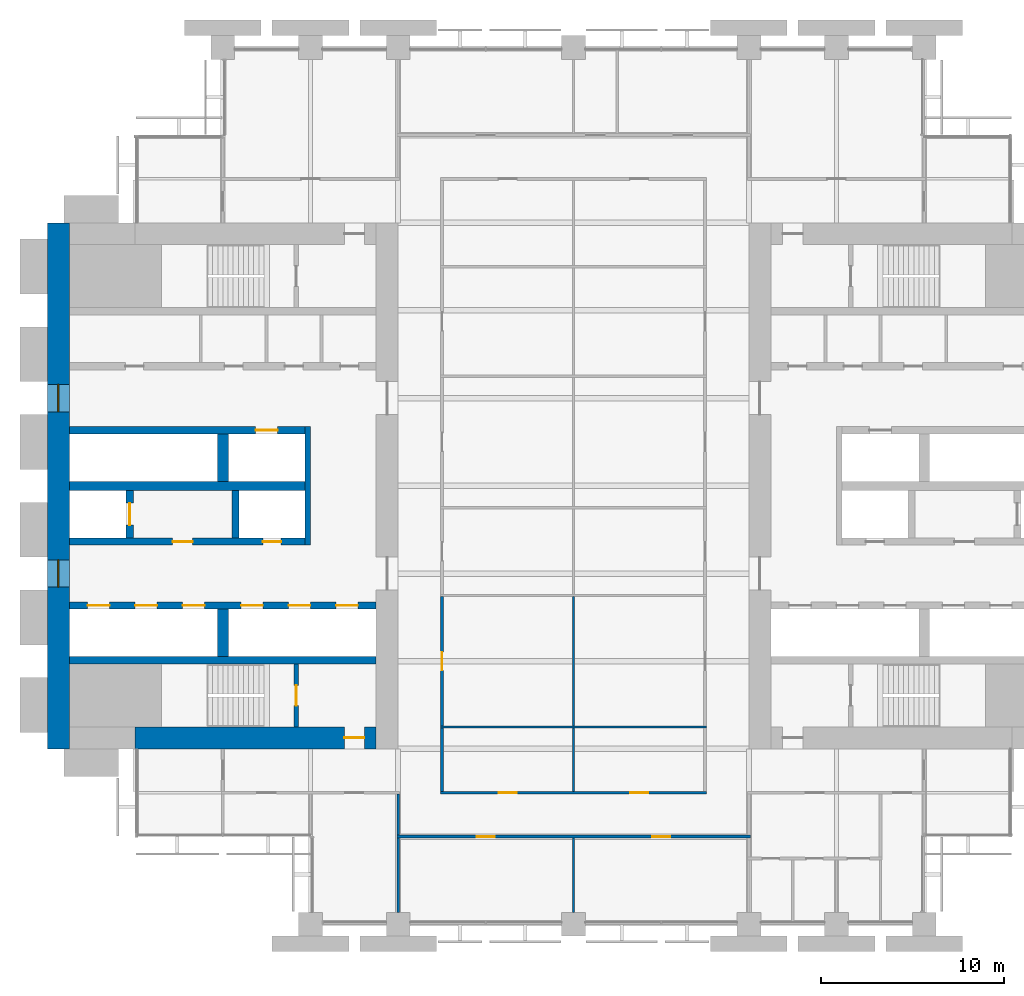
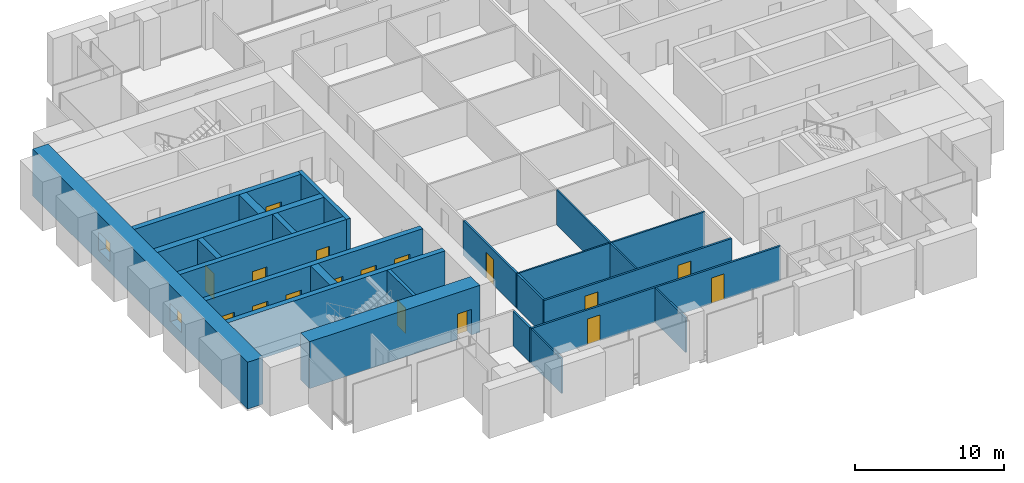
# One storey, part 9 of 14: 23 walls, 17 doors, 2 windows, 19 openings.
"""IFC4 building model written with IfcOpenShell, lengths in metres."""

from ifc_helpers import new_model, si_unit, direction, frame, frame_2d, origin, place, context, subcontext, project, spatial, rectangle, extrude, material, layer, layer_set, type_object, element, fill, save


model = new_model("IFC4")

# Units and contexts
model_context = context("Model", 3, precision=1e-05, world=origin(), true_north=direction((0.0, 1.0)))
body_context = subcontext(model_context, "Body", "Model", "MODEL_VIEW")
ifc_project = project(units=[si_unit("LENGTHUNIT", "METRE"), si_unit("AREAUNIT", "SQUARE_METRE"), si_unit("VOLUMEUNIT", "CUBIC_METRE"), si_unit("PLANEANGLEUNIT", "RADIAN"), si_unit("MASSUNIT", "GRAM", prefix="KILO")], contexts=[model_context])

# Site, building, storey
site_placement = place(None, origin())
site = spatial("IfcSite", under=ifc_project, at=site_placement, CompositionType="ELEMENT")
building_placement = place(site_placement, origin())
building = spatial("IfcBuilding", under=site, at=building_placement, Name="Baori Bourse Tower", CompositionType="ELEMENT")
storey_placement = place(building_placement, frame((0.0, 0.0, 55.0)))
storey = spatial("IfcBuildingStorey", under=building, at=storey_placement, Name="L11", CompositionType="ELEMENT", Elevation=55.0)

# Wall, openings, windows
ifc_material_1 = material(Name="Concrete f'c 70 MPa", Category="concrete")
ifc_layer_1 = layer(ifc_material_1, 1.199951171875)
ifc_layer_set_1 = layer_set([ifc_layer_1], Name="Core wall 1200 f'c 70")
wall_type_1 = type_object("IfcWallType", Name="Core wall 1200 f'c 70", PredefinedType="SHEAR", material=ifc_layer_set_1)
wall_1_placement = place(storey_placement, frame((0.60009765625, 9.60009765625, 0.0), z_axis=(0.0, 0.0, 1.0), x_axis=(0.0, 1.0, 0.0)))
wall_1 = element("IfcWall", 1, at=wall_1_placement, inside=storey, type_object=wall_type_1, Name="Core wall W01", PredefinedType="SHEAR", context=body_context, shape_type="SweptSolid", body=[
    extrude(rectangle(XDim=28.7998046875, YDim=1.199951171875, at=frame_2d((14.39990234375, 0.0))), origin(), (0.0, 0.0, 1.0), 3.840087890625),
])
opening_1_placement = place(wall_1_placement, frame((8.85009765625, 0.0, 0.89990234375)))
opening_1 = element("IfcOpeningElement", 2, at=opening_1_placement, cuts=wall_1, Name="Opening L11-KW101", PredefinedType="OPENING", context=body_context, shape_type="SweptSolid", body=[
    extrude(rectangle(XDim=1.5, YDim=1.5, at=frame_2d((0.75, 0.75))), frame((0.0, 0.60986328125, 0.0), z_axis=(0.0, -1.0, 0.0), x_axis=(1.0, 0.0, 0.0)), (0.0, 0.0, 1.0), 1.219970703125),
])
opening_2_placement = place(wall_1_placement, frame((18.449951171875, 0.0, 0.89990234375)))
opening_2 = element("IfcOpeningElement", 3, at=opening_2_placement, cuts=wall_1, Name="Opening L11-KW102", PredefinedType="OPENING", context=body_context, shape_type="SweptSolid", body=[
    extrude(rectangle(XDim=1.5, YDim=1.5, at=frame_2d((0.75, 0.75))), frame((0.0, 0.60986328125, 0.0), z_axis=(0.0, -1.0, 0.0), x_axis=(1.0, 0.0, 0.0)), (0.0, 0.0, 1.0), 1.219970703125),
])
ifc_material_2 = material(Name="Pale anodised aluminium", Category="aluminium")
window_type = type_object("IfcWindowType", Name="Lobby window 1500 x 1500", PartitioningType="SINGLE_PANEL", PredefinedType="WINDOW", material=ifc_material_2)
window_1_placement = place(opening_1_placement, origin())
window_1 = element("IfcWindow", 4, at=window_1_placement, inside=storey, type_object=window_type, Name="Outer wall window W L11 1", OverallHeight=1.5, OverallWidth=1.5, PartitioningType="SINGLE_PANEL", PredefinedType="WINDOW", context=body_context, shape_type="SweptSolid", body=[
    extrude(rectangle(XDim=1.5, YDim=1.5, at=frame_2d((0.75, 0.75))), frame((0.0, 0.030029296875, 0.0), z_axis=(0.0, -1.0, 0.0), x_axis=(1.0, 0.0, 0.0)), (0.0, 0.0, 1.0), 0.06005859375),
])
fill(opening_1, window_1)
window_2_placement = place(opening_2_placement, origin())
window_2 = element("IfcWindow", 5, at=window_2_placement, inside=storey, type_object=window_type, Name="Outer wall window W L11 2", OverallHeight=1.5, OverallWidth=1.5, PartitioningType="SINGLE_PANEL", PredefinedType="WINDOW", context=body_context, shape_type="SweptSolid", body=[
    extrude(rectangle(XDim=1.5, YDim=1.5, at=frame_2d((0.75, 0.75))), frame((0.0, 0.030029296875, 0.0), z_axis=(0.0, -1.0, 0.0), x_axis=(1.0, 0.0, 0.0)), (0.0, 0.0, 1.0), 0.06005859375),
])
fill(opening_2, window_2)

# Wall, opening, door
wall_2_placement = place(storey_placement, frame((18.0, 10.199951171875, 0.0), z_axis=(0.0, 0.0, 1.0), x_axis=(-1.0, 0.0, 0.0)))
wall_2 = element("IfcWall", 6, at=wall_2_placement, inside=storey, type_object=wall_type_1, Name="Core wall W03", PredefinedType="SHEAR", context=body_context, shape_type="SweptSolid", body=[
    extrude(rectangle(XDim=13.199951171875, YDim=1.199951171875, at=frame_2d((6.60009765625, 0.0))), origin(), (0.0, 0.0, 1.0), 3.840087890625),
])
opening_3_placement = place(wall_2_placement, frame((0.64990234375, 0.0, 0.0)))
opening_3 = element("IfcOpeningElement", 7, at=opening_3_placement, cuts=wall_2, Name="Opening L11-D102", PredefinedType="OPENING", context=body_context, shape_type="SweptSolid", body=[
    extrude(rectangle(XDim=1.10009765625, YDim=2.10009765625, at=frame_2d((0.550048828125, 1.050048828125))), frame((0.0, 0.60986328125, 0.0), z_axis=(0.0, -1.0, 0.0), x_axis=(1.0, 0.0, 0.0)), (0.0, 0.0, 1.0), 1.219970703125),
])
ifc_material_3 = material(Name="Painted steel door", Category="steel")
door_type_1 = type_object("IfcDoorType", Name="Stair door 1100", OperationType="SINGLE_SWING_LEFT", PredefinedType="DOOR", material=ifc_material_3)
door_1_placement = place(opening_3_placement, origin())
door_1 = element("IfcDoor", 8, at=door_1_placement, inside=storey, type_object=door_type_1, Name="Stair vestibule door A W L11", OperationType="SINGLE_SWING_LEFT", OverallHeight=2.10009765625, OverallWidth=1.10009765625, PredefinedType="DOOR", context=body_context, shape_type="SweptSolid", body=[
    extrude(rectangle(XDim=1.10009765625, YDim=2.10009765625, at=frame_2d((0.550048828125, 1.050048828125))), frame((0.0, 0.02490234375, 0.0), z_axis=(0.0, -1.0, 0.0), x_axis=(1.0, 0.0, 0.0)), (0.0, 0.0, 1.0), 0.050048828125),
])
fill(opening_3, door_1)

# Wall, openings, doors
ifc_material_4 = material(Name="Gypsum board partition")
ifc_layer_2 = layer(ifc_material_4, 0.14990234375)
ifc_layer_set_2 = layer_set([ifc_layer_2], Name="Corridor partition 150")
wall_type_2 = type_object("IfcWallType", Name="Corridor partition 150", PredefinedType="PARTITIONING", material=ifc_layer_set_2)
wall_3_placement = place(storey_placement, frame((19.125, 4.800048828125, 0.0), z_axis=(0.0, 0.0, 1.0), x_axis=(1.0, 0.0, 0.0)))
wall_3 = element("IfcWall", 9, at=wall_3_placement, inside=storey, type_object=wall_type_2, Name="Partition", PredefinedType="PARTITIONING", context=body_context, shape_type="SweptSolid", body=[
    extrude(rectangle(XDim=19.35009765625, YDim=0.14990234375, at=frame_2d((9.675048828125, 0.0))), origin(), (0.0, 0.0, 1.0), 2.849365234375),
])
opening_4_placement = place(wall_3_placement, frame((4.375, 0.0, 0.0)))
opening_4 = element("IfcOpeningElement", 10, at=opening_4_placement, cuts=wall_3, Name="Opening L11-D04", PredefinedType="OPENING", context=body_context, shape_type="SweptSolid", body=[
    extrude(rectangle(XDim=1.0, YDim=2.10009765625, at=frame_2d((0.5, 1.050048828125))), frame((0.0, 0.0849609375, 0.0), z_axis=(0.0, -1.0, 0.0), x_axis=(1.0, 0.0, 0.0)), (0.0, 0.0, 1.0), 0.169921875),
])
opening_5_placement = place(wall_3_placement, frame((13.97509765625, 0.0, 0.0)))
opening_5 = element("IfcOpeningElement", 11, at=opening_5_placement, cuts=wall_3, Name="Opening L11-D05", PredefinedType="OPENING", context=body_context, shape_type="SweptSolid", body=[
    extrude(rectangle(XDim=1.0, YDim=2.10009765625, at=frame_2d((0.5, 1.050048828125))), frame((0.0, 0.0849609375, 0.0), z_axis=(0.0, -1.0, 0.0), x_axis=(1.0, 0.0, 0.0)), (0.0, 0.0, 1.0), 0.169921875),
])
ifc_material_5 = material(Name="Timber door leaf", Category="wood")
door_type_2 = type_object("IfcDoorType", Name="Door 1000 x 2100", OperationType="SINGLE_SWING_LEFT", PredefinedType="DOOR", material=ifc_material_5)
door_2_placement = place(opening_4_placement, origin())
door_2 = element("IfcDoor", 12, at=door_2_placement, inside=storey, type_object=door_type_2, Name="Door", OperationType="SINGLE_SWING_LEFT", OverallHeight=2.10009765625, OverallWidth=1.0, PredefinedType="DOOR", context=body_context, shape_type="SweptSolid", body=[
    extrude(rectangle(XDim=1.0, YDim=2.10009765625, at=frame_2d((0.5, 1.050048828125))), frame((0.0, 0.02490234375, 0.0), z_axis=(0.0, -1.0, 0.0), x_axis=(1.0, 0.0, 0.0)), (0.0, 0.0, 1.0), 0.050048828125),
])
fill(opening_4, door_2)
door_3_placement = place(opening_5_placement, origin())
door_3 = element("IfcDoor", 13, at=door_3_placement, inside=storey, type_object=door_type_2, Name="Door", OperationType="SINGLE_SWING_RIGHT", OverallHeight=2.10009765625, OverallWidth=1.0, PredefinedType="DOOR", context=body_context, shape_type="SweptSolid", body=[
    extrude(rectangle(XDim=1.0, YDim=2.10009765625, at=frame_2d((0.5, 1.050048828125))), frame((0.0, 0.02490234375, 0.0), z_axis=(0.0, -1.0, 0.0), x_axis=(1.0, 0.0, 0.0)), (0.0, 0.0, 1.0), 0.050048828125),
])
fill(opening_5, door_3)

wall_4_placement = place(storey_placement, frame((21.52490234375, 7.199951171875, 0.0), z_axis=(0.0, 0.0, 1.0), x_axis=(1.0, 0.0, 0.0)))
wall_4 = element("IfcWall", 14, at=wall_4_placement, inside=storey, type_object=wall_type_2, Name="Partition", PredefinedType="PARTITIONING", context=body_context, shape_type="SweptSolid", body=[
    extrude(rectangle(XDim=14.550048828125, YDim=0.14990234375, at=frame_2d((7.27490234375, 0.0))), origin(), (0.0, 0.0, 1.0), 2.849365234375),
])
opening_6_placement = place(wall_4_placement, frame((3.175048828125, 0.0, 0.0)))
opening_6 = element("IfcOpeningElement", 15, at=opening_6_placement, cuts=wall_4, Name="Opening L11-D08", PredefinedType="OPENING", context=body_context, shape_type="SweptSolid", body=[
    extrude(rectangle(XDim=1.0, YDim=2.10009765625, at=frame_2d((0.5, 1.050048828125))), frame((0.0, 0.0849609375, 0.0), z_axis=(0.0, -1.0, 0.0), x_axis=(1.0, 0.0, 0.0)), (0.0, 0.0, 1.0), 0.169921875),
])
opening_7_placement = place(wall_4_placement, frame((10.375, 0.0, 0.0)))
opening_7 = element("IfcOpeningElement", 16, at=opening_7_placement, cuts=wall_4, Name="Opening L11-D09", PredefinedType="OPENING", context=body_context, shape_type="SweptSolid", body=[
    extrude(rectangle(XDim=1.0, YDim=2.10009765625, at=frame_2d((0.5, 1.050048828125))), frame((0.0, 0.0849609375, 0.0), z_axis=(0.0, -1.0, 0.0), x_axis=(1.0, 0.0, 0.0)), (0.0, 0.0, 1.0), 0.169921875),
])
door_4_placement = place(opening_6_placement, origin())
door_4 = element("IfcDoor", 17, at=door_4_placement, inside=storey, type_object=door_type_2, Name="Door", OperationType="SINGLE_SWING_RIGHT", OverallHeight=2.10009765625, OverallWidth=1.0, PredefinedType="DOOR", context=body_context, shape_type="SweptSolid", body=[
    extrude(rectangle(XDim=1.0, YDim=2.10009765625, at=frame_2d((0.5, 1.050048828125))), frame((0.0, 0.02490234375, 0.0), z_axis=(0.0, -1.0, 0.0), x_axis=(1.0, 0.0, 0.0)), (0.0, 0.0, 1.0), 0.050048828125),
])
fill(opening_6, door_4)
door_5_placement = place(opening_7_placement, origin())
door_5 = element("IfcDoor", 18, at=door_5_placement, inside=storey, type_object=door_type_2, Name="Door", OperationType="SINGLE_SWING_LEFT", OverallHeight=2.10009765625, OverallWidth=1.0, PredefinedType="DOOR", context=body_context, shape_type="SweptSolid", body=[
    extrude(rectangle(XDim=1.0, YDim=2.10009765625, at=frame_2d((0.5, 1.050048828125))), frame((0.0, 0.02490234375, 0.0), z_axis=(0.0, -1.0, 0.0), x_axis=(1.0, 0.0, 0.0)), (0.0, 0.0, 1.0), 0.050048828125),
])
fill(opening_7, door_5)

# Walls
wall_5_placement = place(storey_placement, frame((19.199951171875, 4.875, 0.0), z_axis=(0.0, 0.0, 1.0), x_axis=(0.0, 1.0, 0.0)))
element("IfcWall", 19, at=wall_5_placement, inside=storey, type_object=wall_type_2, Name="Partition", PredefinedType="PARTITIONING", context=body_context, shape_type="SweptSolid", body=[
    extrude(rectangle(XDim=2.25, YDim=0.14990234375, at=frame_2d((1.125, 0.0))), origin(), (0.0, 0.0, 1.0), 2.849365234375),
])
wall_6_placement = place(storey_placement, frame((21.60009765625, 7.27490234375, 0.0), z_axis=(0.0, 0.0, 1.0), x_axis=(0.0, 1.0, 0.0)))
element("IfcWall", 20, at=wall_6_placement, inside=storey, type_object=wall_type_2, Name="Partition", PredefinedType="PARTITIONING", context=body_context, shape_type="SweptSolid", body=[
    extrude(rectangle(XDim=3.462646484375, YDim=0.14990234375, at=frame_2d((1.7314453125, 0.0))), origin(), (0.0, 0.0, 1.0), 2.849365234375),
])

# Wall, opening, door
wall_7_placement = place(storey_placement, frame((21.60009765625, 10.862548828125, 0.0), z_axis=(0.0, 0.0, 1.0), x_axis=(0.0, 1.0, 0.0)))
wall_7 = element("IfcWall", 21, at=wall_7_placement, inside=storey, type_object=wall_type_2, Name="Partition", PredefinedType="PARTITIONING", context=body_context, shape_type="SweptSolid", body=[
    extrude(rectangle(XDim=7.074951171875, YDim=0.14990234375, at=frame_2d((3.53759765625, 0.0))), origin(), (0.0, 0.0, 1.0), 2.849365234375),
])
opening_8_placement = place(wall_7_placement, frame((3.03759765625, 0.0, 0.0)))
opening_8 = element("IfcOpeningElement", 22, at=opening_8_placement, cuts=wall_7, Name="Opening L11-D21", PredefinedType="OPENING", context=body_context, shape_type="SweptSolid", body=[
    extrude(rectangle(XDim=1.0, YDim=2.10009765625, at=frame_2d((0.5, 1.050048828125))), frame((0.0, 0.0849609375, 0.0), z_axis=(0.0, -1.0, 0.0), x_axis=(1.0, 0.0, 0.0)), (0.0, 0.0, 1.0), 0.169921875),
])
door_6_placement = place(opening_8_placement, origin())
door_6 = element("IfcDoor", 23, at=door_6_placement, inside=storey, type_object=door_type_2, Name="Door", OperationType="SINGLE_SWING_LEFT", OverallHeight=2.10009765625, OverallWidth=1.0, PredefinedType="DOOR", context=body_context, shape_type="SweptSolid", body=[
    extrude(rectangle(XDim=1.0, YDim=2.10009765625, at=frame_2d((0.5, 1.050048828125))), frame((0.0, 0.02490234375, 0.0), z_axis=(0.0, -1.0, 0.0), x_axis=(1.0, 0.0, 0.0)), (0.0, 0.0, 1.0), 0.050048828125),
])
fill(opening_8, door_6)

# Walls
ifc_material_6 = material(Name="Gypsum board partition")
ifc_layer_3 = layer(ifc_material_6, 0.125)
ifc_layer_set_3 = layer_set([ifc_layer_3], Name="Partition 125")
wall_type_3 = type_object("IfcWallType", Name="Partition 125", PredefinedType="PARTITIONING", material=ifc_layer_set_3)
wall_8_placement = place(storey_placement, frame((21.52490234375, 10.800048828125, 0.0), z_axis=(0.0, 0.0, 1.0), x_axis=(1.0, 0.0, 0.0)))
element("IfcWall", 24, at=wall_8_placement, inside=storey, type_object=wall_type_3, Name="Partition", PredefinedType="PARTITIONING", context=body_context, shape_type="SweptSolid", body=[
    extrude(rectangle(XDim=14.550048828125, YDim=0.125, at=frame_2d((7.27490234375, 0.0))), origin(), (0.0, 0.0, 1.0), 2.849365234375),
])
for number, where, z_axis, x_axis, name in (
    (25, (19.199951171875, 0.64990234375, 0.0), (0.0, 0.0, 1.0), (0.0, 1.0, 0.0), "Partition"),
    (26, (28.800048828125, 0.64990234375, 0.0), (0.0, 0.0, 1.0), (0.0, 1.0, 0.0), "Partition"),
):
    element("IfcWall", number, at=place(storey_placement, frame(where, z_axis=z_axis, x_axis=x_axis)), inside=storey, type_object=wall_type_3, Name=name, PredefinedType="PARTITIONING", context=body_context, shape_type="SweptSolid", body=[
        extrude(rectangle(XDim=4.0751953125, YDim=0.125, at=frame_2d((2.03759765625, 0.0))), origin(), (0.0, 0.0, 1.0), 2.849365234375),
    ])
wall_9_placement = place(storey_placement, frame((28.800048828125, 7.27490234375, 0.0), z_axis=(0.0, 0.0, 1.0), x_axis=(0.0, 1.0, 0.0)))
element("IfcWall", 27, at=wall_9_placement, inside=storey, type_object=wall_type_3, Name="Partition", PredefinedType="PARTITIONING", context=body_context, shape_type="SweptSolid", body=[
    extrude(rectangle(XDim=3.462646484375, YDim=0.125, at=frame_2d((1.7314453125, 0.0))), origin(), (0.0, 0.0, 1.0), 2.849365234375),
])
wall_10_placement = place(storey_placement, frame((28.800048828125, 10.862548828125, 0.0), z_axis=(0.0, 0.0, 1.0), x_axis=(0.0, 1.0, 0.0)))
element("IfcWall", 28, at=wall_10_placement, inside=storey, type_object=wall_type_3, Name="Partition", PredefinedType="PARTITIONING", context=body_context, shape_type="SweptSolid", body=[
    extrude(rectangle(XDim=7.074951171875, YDim=0.125, at=frame_2d((3.53759765625, 0.0))), origin(), (0.0, 0.0, 1.0), 2.849365234375),
])

# Wall, opening, door
ifc_material_7 = material(Name="Concrete f'c 70 MPa", Category="concrete")
ifc_layer_4 = layer(ifc_material_7, 0.25)
ifc_layer_set_4 = layer_set([ifc_layer_4], Name="Shaft wall 250 f'c 70")
wall_type_4 = type_object("IfcWallType", Name="Shaft wall 250 f'c 70", PredefinedType="SHEAR", material=ifc_layer_set_4)
wall_11_placement = place(storey_placement, frame((13.625, 10.800048828125, 0.0), z_axis=(0.0, 0.0, 1.0), x_axis=(0.0, 1.0, 0.0)))
wall_11 = element("IfcWall", 29, at=wall_11_placement, inside=storey, type_object=wall_type_4, Name="Core wall W06", PredefinedType="SHEAR", context=body_context, shape_type="SweptSolid", body=[
    extrude(rectangle(XDim=3.449951171875, YDim=0.25, at=frame_2d((1.72509765625, 0.0))), origin(), (0.0, 0.0, 1.0), 3.840087890625),
])
opening_9_placement = place(wall_11_placement, frame((1.175048828125, 0.0, 0.0)))
opening_9 = element("IfcOpeningElement", 30, at=opening_9_placement, cuts=wall_11, Name="Opening L11-D101", PredefinedType="OPENING", context=body_context, shape_type="SweptSolid", body=[
    extrude(rectangle(XDim=1.10009765625, YDim=2.10009765625, at=frame_2d((0.550048828125, 1.050048828125))), frame((0.0, 0.135009765625, 0.0), z_axis=(0.0, -1.0, 0.0), x_axis=(1.0, 0.0, 0.0)), (0.0, 0.0, 1.0), 0.27001953125),
])
door_7_placement = place(opening_9_placement, origin())
door_7 = element("IfcDoor", 31, at=door_7_placement, inside=storey, type_object=door_type_1, Name="Stair door A W L11", OperationType="SINGLE_SWING_LEFT", OverallHeight=2.10009765625, OverallWidth=1.10009765625, PredefinedType="DOOR", context=body_context, shape_type="SweptSolid", body=[
    extrude(rectangle(XDim=1.10009765625, YDim=2.10009765625, at=frame_2d((0.550048828125, 1.050048828125))), frame((0.0, 0.02490234375, 0.0), z_axis=(0.0, -1.0, 0.0), x_axis=(1.0, 0.0, 0.0)), (0.0, 0.0, 1.0), 0.050048828125),
])
fill(opening_9, door_7)

# Walls
ifc_material_8 = material(Name="Concrete f'c 70 MPa", Category="concrete")
ifc_layer_5 = layer(ifc_material_8, 0.300048828125)
ifc_layer_set_5 = layer_set([ifc_layer_5], Name="Shaft wall 300 f'c 70")
wall_type_5 = type_object("IfcWallType", Name="Shaft wall 300 f'c 70", PredefinedType="SHEAR", material=ifc_layer_set_5)
wall_12_placement = place(storey_placement, frame((14.25, 20.75, 0.0), z_axis=(0.0, 0.0, 1.0), x_axis=(0.0, 1.0, 0.0)))
element("IfcWall", 32, at=wall_12_placement, inside=storey, type_object=wall_type_5, Name="Core wall W11", PredefinedType="SHEAR", context=body_context, shape_type="SweptSolid", body=[
    extrude(rectangle(XDim=6.5, YDim=0.300048828125, at=frame_2d((3.25, 0.0))), origin(), (0.0, 0.0, 1.0), 3.840087890625),
])
ifc_material_9 = material(Name="Concrete f'c 70 MPa", Category="concrete")
ifc_layer_6 = layer(ifc_material_9, 0.39990234375)
ifc_layer_set_6 = layer_set([ifc_layer_6], Name="Shaft wall 400 f'c 70")
wall_type_6 = type_object("IfcWallType", Name="Shaft wall 400 f'c 70", PredefinedType="SHEAR", material=ifc_layer_set_6)
wall_13_placement = place(storey_placement, frame((1.199951171875, 14.449951171875, 0.0), z_axis=(0.0, 0.0, 1.0), x_axis=(1.0, 0.0, 0.0)))
element("IfcWall", 33, at=wall_13_placement, inside=storey, type_object=wall_type_6, Name="Core wall W07", PredefinedType="SHEAR", context=body_context, shape_type="SweptSolid", body=[
    extrude(rectangle(XDim=16.800048828125, YDim=0.39990234375, at=frame_2d((8.39990234375, 0.0))), origin(), (0.0, 0.0, 1.0), 3.840087890625),
])

# Wall, openings, doors
wall_14_placement = place(storey_placement, frame((1.199951171875, 17.449951171875, 0.0), z_axis=(0.0, 0.0, 1.0), x_axis=(1.0, 0.0, 0.0)))
wall_14 = element("IfcWall", 34, at=wall_14_placement, inside=storey, type_object=wall_type_6, Name="Core wall W09", PredefinedType="SHEAR", context=body_context, shape_type="SweptSolid", body=[
    extrude(rectangle(XDim=16.800048828125, YDim=0.39990234375, at=frame_2d((8.39990234375, 0.0))), origin(), (0.0, 0.0, 1.0), 3.840087890625),
])
opening_10_placement = place(wall_14_placement, frame((1.0, 0.0, 0.0)))
opening_10 = element("IfcOpeningElement", 35, at=opening_10_placement, cuts=wall_14, Name="Opening L11-D113", PredefinedType="OPENING", context=body_context, shape_type="SweptSolid", body=[
    extrude(rectangle(XDim=1.199951171875, YDim=2.10009765625, at=frame_2d((0.60009765625, 1.050048828125))), frame((0.0, 0.2099609375, 0.0), z_axis=(0.0, -1.0, 0.0), x_axis=(1.0, 0.0, 0.0)), (0.0, 0.0, 1.0), 0.419921875),
])
opening_11_placement = place(wall_14_placement, frame((3.60009765625, 0.0, 0.0)))
opening_11 = element("IfcOpeningElement", 36, at=opening_11_placement, cuts=wall_14, Name="Opening L11-D114", PredefinedType="OPENING", context=body_context, shape_type="SweptSolid", body=[
    extrude(rectangle(XDim=1.199951171875, YDim=2.10009765625, at=frame_2d((0.60009765625, 1.050048828125))), frame((0.0, 0.2099609375, 0.0), z_axis=(0.0, -1.0, 0.0), x_axis=(1.0, 0.0, 0.0)), (0.0, 0.0, 1.0), 0.419921875),
])
opening_12_placement = place(wall_14_placement, frame((6.199951171875, 0.0, 0.0)))
opening_12 = element("IfcOpeningElement", 37, at=opening_12_placement, cuts=wall_14, Name="Opening L11-D115", PredefinedType="OPENING", context=body_context, shape_type="SweptSolid", body=[
    extrude(rectangle(XDim=1.199951171875, YDim=2.10009765625, at=frame_2d((0.60009765625, 1.050048828125))), frame((0.0, 0.2099609375, 0.0), z_axis=(0.0, -1.0, 0.0), x_axis=(1.0, 0.0, 0.0)), (0.0, 0.0, 1.0), 0.419921875),
])
opening_13_placement = place(wall_14_placement, frame((9.39990234375, 0.0, 0.0)))
opening_13 = element("IfcOpeningElement", 38, at=opening_13_placement, cuts=wall_14, Name="Opening L11-D116", PredefinedType="OPENING", context=body_context, shape_type="SweptSolid", body=[
    extrude(rectangle(XDim=1.199951171875, YDim=2.10009765625, at=frame_2d((0.60009765625, 1.050048828125))), frame((0.0, 0.2099609375, 0.0), z_axis=(0.0, -1.0, 0.0), x_axis=(1.0, 0.0, 0.0)), (0.0, 0.0, 1.0), 0.419921875),
])
opening_14_placement = place(wall_14_placement, frame((12.0, 0.0, 0.0)))
opening_14 = element("IfcOpeningElement", 39, at=opening_14_placement, cuts=wall_14, Name="Opening L11-D117", PredefinedType="OPENING", context=body_context, shape_type="SweptSolid", body=[
    extrude(rectangle(XDim=1.199951171875, YDim=2.10009765625, at=frame_2d((0.60009765625, 1.050048828125))), frame((0.0, 0.2099609375, 0.0), z_axis=(0.0, -1.0, 0.0), x_axis=(1.0, 0.0, 0.0)), (0.0, 0.0, 1.0), 0.419921875),
])
opening_15_placement = place(wall_14_placement, frame((14.60009765625, 0.0, 0.0)))
opening_15 = element("IfcOpeningElement", 40, at=opening_15_placement, cuts=wall_14, Name="Opening L11-D118", PredefinedType="OPENING", context=body_context, shape_type="SweptSolid", body=[
    extrude(rectangle(XDim=1.199951171875, YDim=2.10009765625, at=frame_2d((0.60009765625, 1.050048828125))), frame((0.0, 0.2099609375, 0.0), z_axis=(0.0, -1.0, 0.0), x_axis=(1.0, 0.0, 0.0)), (0.0, 0.0, 1.0), 0.419921875),
])
ifc_material_10 = material(Name="Stainless steel door", Category="steel")
door_type_3 = type_object("IfcDoorType", Name="Lift landing door", OperationType="DOUBLE_DOOR_SLIDING", PredefinedType="DOOR", material=ifc_material_10)
door_8_placement = place(opening_10_placement, origin())
door_8 = element("IfcDoor", 41, at=door_8_placement, inside=storey, type_object=door_type_3, Name="Lift landing door LR1 W L11", OperationType="DOUBLE_DOOR_SLIDING", OverallHeight=2.10009765625, OverallWidth=1.199951171875, PredefinedType="DOOR", context=body_context, shape_type="SweptSolid", body=[
    extrude(rectangle(XDim=1.199951171875, YDim=2.10009765625, at=frame_2d((0.60009765625, 1.050048828125))), frame((0.0, 0.02490234375, 0.0), z_axis=(0.0, -1.0, 0.0), x_axis=(1.0, 0.0, 0.0)), (0.0, 0.0, 1.0), 0.050048828125),
])
fill(opening_10, door_8)
door_9_placement = place(opening_11_placement, origin())
door_9 = element("IfcDoor", 42, at=door_9_placement, inside=storey, type_object=door_type_3, Name="Lift landing door LR2 W L11", OperationType="DOUBLE_DOOR_SLIDING", OverallHeight=2.10009765625, OverallWidth=1.199951171875, PredefinedType="DOOR", context=body_context, shape_type="SweptSolid", body=[
    extrude(rectangle(XDim=1.199951171875, YDim=2.10009765625, at=frame_2d((0.60009765625, 1.050048828125))), frame((0.0, 0.02490234375, 0.0), z_axis=(0.0, -1.0, 0.0), x_axis=(1.0, 0.0, 0.0)), (0.0, 0.0, 1.0), 0.050048828125),
])
fill(opening_11, door_9)
door_10_placement = place(opening_12_placement, origin())
door_10 = element("IfcDoor", 43, at=door_10_placement, inside=storey, type_object=door_type_3, Name="Lift landing door LR3 W L11", OperationType="DOUBLE_DOOR_SLIDING", OverallHeight=2.10009765625, OverallWidth=1.199951171875, PredefinedType="DOOR", context=body_context, shape_type="SweptSolid", body=[
    extrude(rectangle(XDim=1.199951171875, YDim=2.10009765625, at=frame_2d((0.60009765625, 1.050048828125))), frame((0.0, 0.02490234375, 0.0), z_axis=(0.0, -1.0, 0.0), x_axis=(1.0, 0.0, 0.0)), (0.0, 0.0, 1.0), 0.050048828125),
])
fill(opening_12, door_10)
door_11_placement = place(opening_13_placement, origin())
door_11 = element("IfcDoor", 44, at=door_11_placement, inside=storey, type_object=door_type_3, Name="Lift landing door LR4 W L11", OperationType="DOUBLE_DOOR_SLIDING", OverallHeight=2.10009765625, OverallWidth=1.199951171875, PredefinedType="DOOR", context=body_context, shape_type="SweptSolid", body=[
    extrude(rectangle(XDim=1.199951171875, YDim=2.10009765625, at=frame_2d((0.60009765625, 1.050048828125))), frame((0.0, 0.02490234375, 0.0), z_axis=(0.0, -1.0, 0.0), x_axis=(1.0, 0.0, 0.0)), (0.0, 0.0, 1.0), 0.050048828125),
])
fill(opening_13, door_11)
door_12_placement = place(opening_14_placement, origin())
door_12 = element("IfcDoor", 45, at=door_12_placement, inside=storey, type_object=door_type_3, Name="Lift landing door LR5 W L11", OperationType="DOUBLE_DOOR_SLIDING", OverallHeight=2.10009765625, OverallWidth=1.199951171875, PredefinedType="DOOR", context=body_context, shape_type="SweptSolid", body=[
    extrude(rectangle(XDim=1.199951171875, YDim=2.10009765625, at=frame_2d((0.60009765625, 1.050048828125))), frame((0.0, 0.02490234375, 0.0), z_axis=(0.0, -1.0, 0.0), x_axis=(1.0, 0.0, 0.0)), (0.0, 0.0, 1.0), 0.050048828125),
])
fill(opening_14, door_12)
door_13_placement = place(opening_15_placement, origin())
door_13 = element("IfcDoor", 46, at=door_13_placement, inside=storey, type_object=door_type_3, Name="Lift landing door LR6 W L11", OperationType="DOUBLE_DOOR_SLIDING", OverallHeight=2.10009765625, OverallWidth=1.199951171875, PredefinedType="DOOR", context=body_context, shape_type="SweptSolid", body=[
    extrude(rectangle(XDim=1.199951171875, YDim=2.10009765625, at=frame_2d((0.60009765625, 1.050048828125))), frame((0.0, 0.02490234375, 0.0), z_axis=(0.0, -1.0, 0.0), x_axis=(1.0, 0.0, 0.0)), (0.0, 0.0, 1.0), 0.050048828125),
])
fill(opening_15, door_13)

wall_15_placement = place(storey_placement, frame((1.199951171875, 20.949951171875, 0.0), z_axis=(0.0, 0.0, 1.0), x_axis=(1.0, 0.0, 0.0)))
wall_15 = element("IfcWall", 47, at=wall_15_placement, inside=storey, type_object=wall_type_6, Name="Core wall W10", PredefinedType="SHEAR", context=body_context, shape_type="SweptSolid", body=[
    extrude(rectangle(XDim=12.900146484375, YDim=0.39990234375, at=frame_2d((6.4501953125, 0.0))), origin(), (0.0, 0.0, 1.0), 3.840087890625),
])
opening_16_placement = place(wall_15_placement, frame((5.64990234375, 0.0, 0.0)))
opening_16 = element("IfcOpeningElement", 48, at=opening_16_placement, cuts=wall_15, Name="Opening L11-D105", PredefinedType="OPENING", context=body_context, shape_type="SweptSolid", body=[
    extrude(rectangle(XDim=1.10009765625, YDim=2.10009765625, at=frame_2d((0.550048828125, 1.050048828125))), frame((0.0, 0.2099609375, 0.0), z_axis=(0.0, -1.0, 0.0), x_axis=(1.0, 0.0, 0.0)), (0.0, 0.0, 1.0), 0.419921875),
])
opening_17_placement = place(wall_15_placement, frame((10.60009765625, 0.0, 0.0)))
opening_17 = element("IfcOpeningElement", 49, at=opening_17_placement, cuts=wall_15, Name="Opening L11-D106", PredefinedType="OPENING", context=body_context, shape_type="SweptSolid", body=[
    extrude(rectangle(XDim=1.0, YDim=2.10009765625, at=frame_2d((0.5, 1.050048828125))), frame((0.0, 0.2099609375, 0.0), z_axis=(0.0, -1.0, 0.0), x_axis=(1.0, 0.0, 0.0)), (0.0, 0.0, 1.0), 0.419921875),
])
ifc_material_11 = material(Name="Painted steel door", Category="steel")
door_type_4 = type_object("IfcDoorType", Name="Lobby door 1100", OperationType="SINGLE_SWING_LEFT", PredefinedType="DOOR", material=ifc_material_11)
door_14_placement = place(opening_16_placement, origin())
door_14 = element("IfcDoor", 50, at=door_14_placement, inside=storey, type_object=door_type_4, Name="Firefighting lobby door W L11", OperationType="SINGLE_SWING_LEFT", OverallHeight=2.10009765625, OverallWidth=1.10009765625, PredefinedType="DOOR", context=body_context, shape_type="SweptSolid", body=[
    extrude(rectangle(XDim=1.10009765625, YDim=2.10009765625, at=frame_2d((0.550048828125, 1.050048828125))), frame((0.0, 0.02490234375, 0.0), z_axis=(0.0, -1.0, 0.0), x_axis=(1.0, 0.0, 0.0)), (0.0, 0.0, 1.0), 0.050048828125),
])
fill(opening_16, door_14)
ifc_material_12 = material(Name="Painted steel door", Category="steel")
door_type_5 = type_object("IfcDoorType", Name="Shaft door 1000", OperationType="SINGLE_SWING_LEFT", PredefinedType="DOOR", material=ifc_material_12)
door_15_placement = place(opening_17_placement, origin())
door_15 = element("IfcDoor", 51, at=door_15_placement, inside=storey, type_object=door_type_5, Name="Riser room door W L11", OperationType="SINGLE_SWING_LEFT", OverallHeight=2.10009765625, OverallWidth=1.0, PredefinedType="DOOR", context=body_context, shape_type="SweptSolid", body=[
    extrude(rectangle(XDim=1.0, YDim=2.10009765625, at=frame_2d((0.5, 1.050048828125))), frame((0.0, 0.02490234375, 0.0), z_axis=(0.0, -1.0, 0.0), x_axis=(1.0, 0.0, 0.0)), (0.0, 0.0, 1.0), 0.050048828125),
])
fill(opening_17, door_15)

# Wall, opening, door
wall_16_placement = place(storey_placement, frame((4.5, 21.14990234375, 0.0), z_axis=(0.0, 0.0, 1.0), x_axis=(0.0, 1.0, 0.0)))
wall_16 = element("IfcWall", 52, at=wall_16_placement, inside=storey, type_object=wall_type_6, Name="Core wall W12", PredefinedType="SHEAR", context=body_context, shape_type="SweptSolid", body=[
    extrude(rectangle(XDim=2.60009765625, YDim=0.39990234375, at=frame_2d((1.300048828125, 0.0))), origin(), (0.0, 0.0, 1.0), 3.840087890625),
])
opening_18_placement = place(wall_16_placement, frame((0.699951171875, 0.0, 0.0)))
opening_18 = element("IfcOpeningElement", 53, at=opening_18_placement, cuts=wall_16, Name="Opening L11-D120", PredefinedType="OPENING", context=body_context, shape_type="SweptSolid", body=[
    extrude(rectangle(XDim=1.199951171875, YDim=2.10009765625, at=frame_2d((0.60009765625, 1.050048828125))), frame((0.0, 0.2099609375, 0.0), z_axis=(0.0, -1.0, 0.0), x_axis=(1.0, 0.0, 0.0)), (0.0, 0.0, 1.0), 0.419921875),
])
door_16_placement = place(opening_18_placement, origin())
door_16 = element("IfcDoor", 54, at=door_16_placement, inside=storey, type_object=door_type_3, Name="Lift landing door FF1 W L11", OperationType="DOUBLE_DOOR_SLIDING", OverallHeight=2.10009765625, OverallWidth=1.199951171875, PredefinedType="DOOR", context=body_context, shape_type="SweptSolid", body=[
    extrude(rectangle(XDim=1.199951171875, YDim=2.10009765625, at=frame_2d((0.60009765625, 1.050048828125))), frame((0.0, 0.02490234375, 0.0), z_axis=(0.0, -1.0, 0.0), x_axis=(1.0, 0.0, 0.0)), (0.0, 0.0, 1.0), 0.050048828125),
])
fill(opening_18, door_16)

# Wall
wall_17_placement = place(storey_placement, frame((10.300048828125, 21.14990234375, 0.0), z_axis=(0.0, 0.0, 1.0), x_axis=(0.0, 1.0, 0.0)))
element("IfcWall", 55, at=wall_17_placement, inside=storey, type_object=wall_type_6, Name="Core wall W13", PredefinedType="SHEAR", context=body_context, shape_type="SweptSolid", body=[
    extrude(rectangle(XDim=2.60009765625, YDim=0.39990234375, at=frame_2d((1.300048828125, 0.0))), origin(), (0.0, 0.0, 1.0), 3.840087890625),
])

# Wall, opening, door
wall_18_placement = place(storey_placement, frame((1.199951171875, 27.050048828125, 0.0), z_axis=(0.0, 0.0, 1.0), x_axis=(1.0, 0.0, 0.0)))
wall_18 = element("IfcWall", 56, at=wall_18_placement, inside=storey, type_object=wall_type_6, Name="Core wall W16", PredefinedType="SHEAR", context=body_context, shape_type="SweptSolid", body=[
    extrude(rectangle(XDim=12.900146484375, YDim=0.39990234375, at=frame_2d((6.4501953125, 0.0))), origin(), (0.0, 0.0, 1.0), 3.840087890625),
])
opening_19_placement = place(wall_18_placement, frame((10.199951171875, 0.0, 0.0)))
opening_19 = element("IfcOpeningElement", 57, at=opening_19_placement, cuts=wall_18, Name="Opening L11-D119", PredefinedType="OPENING", context=body_context, shape_type="SweptSolid", body=[
    extrude(rectangle(XDim=1.199951171875, YDim=2.10009765625, at=frame_2d((0.60009765625, 1.050048828125))), frame((0.0, 0.2099609375, 0.0), z_axis=(0.0, -1.0, 0.0), x_axis=(1.0, 0.0, 0.0)), (0.0, 0.0, 1.0), 0.419921875),
])
door_17_placement = place(opening_19_placement, origin())
door_17 = element("IfcDoor", 58, at=door_17_placement, inside=storey, type_object=door_type_3, Name="Lift landing door SV1 W L11", OperationType="DOUBLE_DOOR_SLIDING", OverallHeight=2.10009765625, OverallWidth=1.199951171875, PredefinedType="DOOR", context=body_context, shape_type="SweptSolid", body=[
    extrude(rectangle(XDim=1.199951171875, YDim=2.10009765625, at=frame_2d((0.60009765625, 1.050048828125))), frame((0.0, 0.02490234375, 0.0), z_axis=(0.0, -1.0, 0.0), x_axis=(1.0, 0.0, 0.0)), (0.0, 0.0, 1.0), 0.050048828125),
])
fill(opening_19, door_17)

# Walls
ifc_material_13 = material(Name="Concrete f'c 70 MPa", Category="concrete")
ifc_layer_7 = layer(ifc_material_13, 0.5)
ifc_layer_set_7 = layer_set([ifc_layer_7], Name="Shaft wall 500 f'c 70")
wall_type_7 = type_object("IfcWallType", Name="Shaft wall 500 f'c 70", PredefinedType="SHEAR", material=ifc_layer_set_7)
wall_19_placement = place(storey_placement, frame((1.199951171875, 24.0, 0.0), z_axis=(0.0, 0.0, 1.0), x_axis=(1.0, 0.0, 0.0)))
element("IfcWall", 59, at=wall_19_placement, inside=storey, type_object=wall_type_7, Name="Core wall W14", PredefinedType="SHEAR", context=body_context, shape_type="SweptSolid", body=[
    extrude(rectangle(XDim=12.900146484375, YDim=0.5, at=frame_2d((6.4501953125, 0.0))), origin(), (0.0, 0.0, 1.0), 3.840087890625),
])
ifc_material_14 = material(Name="Concrete f'c 70 MPa", Category="concrete")
ifc_layer_8 = layer(ifc_material_14, 0.60009765625)
ifc_layer_set_8 = layer_set([ifc_layer_8], Name="Shaft wall 600 f'c 70")
wall_type_8 = type_object("IfcWallType", Name="Shaft wall 600 f'c 70", PredefinedType="SHEAR", material=ifc_layer_set_8)
for number, where, z_axis, x_axis, name in (
    (60, (9.60009765625, 14.64990234375, 0.0), (0.0, 0.0, 1.0), (0.0, 1.0, 0.0), "Core wall W08"),
    (61, (9.60009765625, 24.25, 0.0), (0.0, 0.0, 1.0), (0.0, 1.0, 0.0), "Core wall W15"),
):
    element("IfcWall", number, at=place(storey_placement, frame(where, z_axis=z_axis, x_axis=x_axis)), inside=storey, type_object=wall_type_8, Name=name, PredefinedType="SHEAR", context=body_context, shape_type="SweptSolid", body=[
        extrude(rectangle(XDim=2.60009765625, YDim=0.60009765625, at=frame_2d((1.300048828125, 0.0))), origin(), (0.0, 0.0, 1.0), 3.840087890625),
    ])

save(model, "model.ifc")
